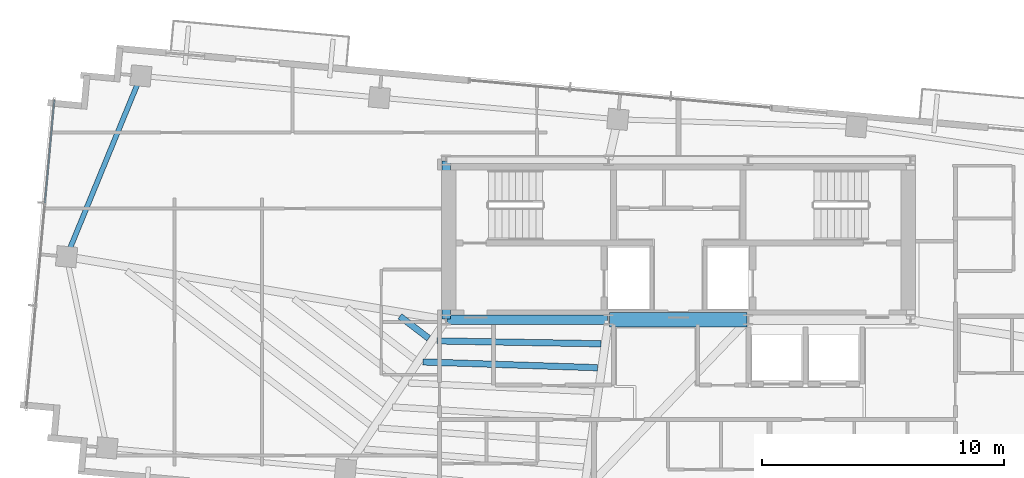
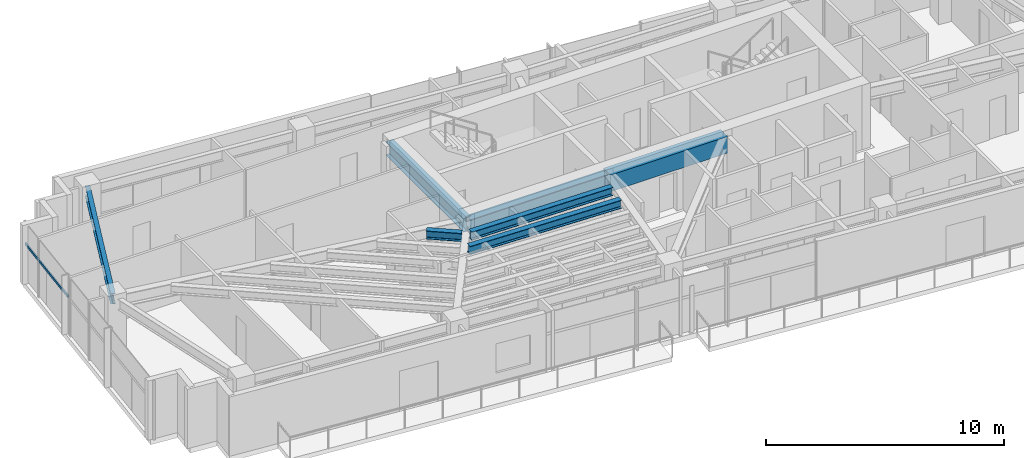
# One storey, part 8 of 22: 7 beams, 1 member, 1 element without a shape of its own.
"""IFC4 building model written with IfcOpenShell, lengths in metres."""

from ifc_helpers import new_model, si_unit, direction, frame, origin, origin_2d, place, context, subcontext, project, spatial, rectangle, hollow_rectangle, i_section, extrude, source, transform, mapped, material, material_profile, profile_set, type_object, type_shapes, element, aggregate, save


model = new_model("IFC4")

# Units and contexts
model_context = context("Model", 3, precision=1e-05, world=origin(), true_north=direction((0.0, 1.0)))
body_context = subcontext(model_context, "Body", "Model", "MODEL_VIEW")
ifc_project = project(units=[si_unit("LENGTHUNIT", "METRE"), si_unit("AREAUNIT", "SQUARE_METRE"), si_unit("VOLUMEUNIT", "CUBIC_METRE"), si_unit("PLANEANGLEUNIT", "RADIAN"), si_unit("MASSUNIT", "GRAM", prefix="KILO")], contexts=[model_context])

# Site, building, storey
site_placement = place(None, origin())
site = spatial("IfcSite", under=ifc_project, at=site_placement, CompositionType="ELEMENT")
building_placement = place(site_placement, origin())
building = spatial("IfcBuilding", under=site, at=building_placement, Name="Astriad Promenade Condominiums", CompositionType="ELEMENT")
storey_placement = place(building_placement, frame((0.0, 0.0, 236.39990234375)))
storey = spatial("IfcBuildingStorey", under=building, at=storey_placement, Name="L68", CompositionType="ELEMENT", Elevation=236.39990234375)

# Beams
ifc_material_1 = material(Name="Steel ASTM A992 Grade 50", Category="steel")
ifc_material_profile_1 = material_profile(ifc_material_1, i_section(OverallWidth=0.3837890625, OverallDepth=0.785888671875, WebThickness=0.019775390625, FlangeThickness=0.033447265625, FilletRadius=0.021484375, at=origin_2d()), Name="W30X211")
ifc_profile_set_1 = profile_set([ifc_material_profile_1], Name="Steel ASTM A992 Grade 50")
beam_type_1 = type_object("IfcBeamType", Name="STEEL FLOOR GIRDER W30X211", PredefinedType="BEAM", material=ifc_profile_set_1)
shared_shape_1 = source(origin(), body_context, "Body", "SweptSolid", [
    extrude(i_section(OverallWidth=0.3837890625, OverallDepth=0.785888671875, WebThickness=0.019775390625, FlangeThickness=0.033447265625, FilletRadius=0.021484375, at=origin_2d()), origin(), (0.0, 0.0, 1.0), 6.64013671875),
])
type_shapes(beam_type_1, [shared_shape_1])
beam_1_placement = place(storey_placement, frame((26.43994140625, 17.39990234375, 2.647216796875), z_axis=(1.0, 0.0, 0.0), x_axis=(0.0, 1.0, 0.0)))
element("IfcBeam", 1, at=beam_1_placement, inside=storey, type_object=beam_type_1, Name="Core Ring Beam CG-S1-L68", PredefinedType="BEAM", context=body_context, shape_type="MappedRepresentation", body=[
    mapped(shared_shape_1, transform((0.0, 0.0, 0.0), scale=1.0)),
])
ifc_material_profile_2 = material_profile(ifc_material_1, i_section(OverallWidth=0.35791015625, OverallDepth=0.706298828125, WebThickness=0.018310546875, FlangeThickness=0.0302734375, FilletRadius=0.020263671875, at=origin_2d()), Name="W27X178")
ifc_profile_set_2 = profile_set([ifc_material_profile_2], Name="Steel ASTM A992 Grade 50")
beam_type_2 = type_object("IfcBeamType", Name="STEEL FLOOR GIRDER W27X178", PredefinedType="BEAM", material=ifc_profile_set_2)
shared_shape_2 = source(origin(), body_context, "Body", "SweptSolid", [
    extrude(i_section(OverallWidth=0.35791015625, OverallDepth=0.706298828125, WebThickness=0.018310546875, FlangeThickness=0.0302734375, FilletRadius=0.020263671875, at=origin_2d()), origin(), (0.0, 0.0, 1.0), 6.52001953125),
])
type_shapes(beam_type_2, [shared_shape_2])
beam_2_placement = place(storey_placement, frame((26.39990234375, 17.43994140625, 2.68701171875), z_axis=(0.0, 1.0, 0.0), x_axis=(-1.0, 0.0, 0.0)))
element("IfcBeam", 2, at=beam_2_placement, inside=storey, type_object=beam_type_2, Name="Core Ring Beam CG-W1-L68", PredefinedType="BEAM", context=body_context, shape_type="MappedRepresentation", body=[
    mapped(shared_shape_2, transform((0.0, 0.0, 0.0), scale=1.0)),
])
ifc_material_2 = material(Name="Concrete C60/75", Category="concrete")
ifc_material_profile_3 = material_profile(ifc_material_2, rectangle(XDim=0.60009765625, YDim=0.85009765625, at=origin_2d()), Name="RC-BM-600X850")
ifc_profile_set_3 = profile_set([ifc_material_profile_3], Name="Concrete C60/75")
beam_type_3 = type_object("IfcBeamType", Name="CONCRETE CORE COUPLING LINTEL 600X850", PredefinedType="LINTEL", material=ifc_profile_set_3)
shared_shape_3 = source(origin(), body_context, "Body", "SweptSolid", [
    extrude(rectangle(XDim=0.60009765625, YDim=0.85009765625, at=origin_2d()), origin(), (0.0, 0.0, 1.0), 5.68017578125),
])
type_shapes(beam_type_3, [shared_shape_3])
beam_3_placement = place(storey_placement, frame((33.159912109375, 17.39990234375, 2.614990234375), z_axis=(1.0, 0.0, 0.0), x_axis=(0.0, 1.0, 0.0)))
element("IfcBeam", 3, at=beam_3_placement, inside=storey, type_object=beam_type_3, Name="Core Ring Beam CG-S2-L68", PredefinedType="LINTEL", context=body_context, shape_type="MappedRepresentation", body=[
    mapped(shared_shape_3, transform((0.0, 0.0, 0.0), scale=1.0)),
])
ifc_material_profile_4 = material_profile(ifc_material_1, i_section(OverallWidth=0.210693359375, OverallDepth=0.53955078125, WebThickness=0.01171875, FlangeThickness=0.018798828125, FilletRadius=0.0166015625, at=origin_2d()), Name="W21X73")
ifc_profile_set_4 = profile_set([ifc_material_profile_4], Name="Steel ASTM A992 Grade 50")
beam_type_4 = type_object("IfcBeamType", Name="STEEL SPANDREL BEAM W21X73", PredefinedType="SPANDREL", material=ifc_profile_set_4)
shared_shape_4 = source(origin(), body_context, "Body", "SweptSolid", [
    extrude(i_section(OverallWidth=0.210693359375, OverallDepth=0.53955078125, WebThickness=0.01171875, FlangeThickness=0.018798828125, FilletRadius=0.0166015625, at=origin_2d()), origin(), (0.0, 0.0, 1.0), 7.998779296875),
])
type_shapes(beam_type_4, [shared_shape_4])
beam_4_placement = place(storey_placement, frame((13.76611328125, 27.44580078125, 2.7705078125), z_axis=(-0.38000513148, -0.924984378273, 0.0), x_axis=(0.924984378273, -0.38000513148, 0.0)))
element("IfcBeam", 4, at=beam_4_placement, inside=storey, type_object=beam_type_4, Name="Perimeter Spandrel Beam SP-W2-L68", PredefinedType="SPANDREL", context=body_context, shape_type="MappedRepresentation", body=[
    mapped(shared_shape_4, transform((0.0, 0.0, 0.0), scale=1.0)),
])
ifc_material_profile_5 = material_profile(ifc_material_1, i_section(OverallWidth=0.26318359375, OverallDepth=0.425537109375, WebThickness=0.01318359375, FlangeThickness=0.022216796875, FilletRadius=0.013916015625, at=origin_2d()), Name="W16X89")
ifc_profile_set_5 = profile_set([ifc_material_profile_5], Name="Steel ASTM A992 Grade 50")
beam_type_5 = type_object("IfcBeamType", Name="STEEL FLOOR JOIST W16X89", PredefinedType="JOIST", material=ifc_profile_set_5)
shared_shape_5 = source(origin(), body_context, "Body", "SweptSolid", [
    extrude(i_section(OverallWidth=0.26318359375, OverallDepth=0.425537109375, WebThickness=0.01318359375, FlangeThickness=0.022216796875, FilletRadius=0.013916015625, at=origin_2d()), origin(), (0.0, 0.0, 1.0), 1.497314453125),
])
beam_5_placement = place(storey_placement, frame((24.489501953125, 17.547119140625, 2.827392578125), z_axis=(0.79482500583, -0.606838701887, 0.0), x_axis=(0.606838701887, 0.79482500583, 0.0)))
element("IfcBeam", 5, at=beam_5_placement, inside=storey, type_object=beam_type_5, Name="Secondary Composite Floor Joist JW1-6-L68", PredefinedType="JOIST", context=body_context, shape_type="MappedRepresentation", body=[
    mapped(shared_shape_5, transform((0.0, 0.0, 0.0), scale=1.0)),
])
shared_shape_6 = source(origin(), body_context, "Body", "SweptSolid", [
    extrude(i_section(OverallWidth=0.26318359375, OverallDepth=0.425537109375, WebThickness=0.01318359375, FlangeThickness=0.022216796875, FilletRadius=0.013916015625, at=origin_2d()), origin(), (0.0, 0.0, 1.0), 7.226318359375),
])
beam_6_placement = place(storey_placement, frame((25.43798828125, 15.659912109375, 2.827392578125), z_axis=(0.999453981353, -0.033041476313, 0.0), x_axis=(0.033041476313, 0.999453981353, 0.0)))
element("IfcBeam", 6, at=beam_6_placement, inside=storey, type_object=beam_type_5, Name="Secondary Composite Floor Joist JCW-5-L68", PredefinedType="JOIST", context=body_context, shape_type="MappedRepresentation", body=[
    mapped(shared_shape_6, transform((0.0, 0.0, 0.0), scale=1.0)),
])
shared_shape_7 = source(origin(), body_context, "Body", "SweptSolid", [
    extrude(i_section(OverallWidth=0.26318359375, OverallDepth=0.425537109375, WebThickness=0.01318359375, FlangeThickness=0.022216796875, FilletRadius=0.013916015625, at=origin_2d()), origin(), (0.0, 0.0, 1.0), 6.781494140625),
])
type_shapes(beam_type_5, [shared_shape_5, shared_shape_6, shared_shape_7])
beam_7_placement = place(storey_placement, frame((26.022216796875, 16.52978515625, 2.827392578125), z_axis=(0.999845665325, -0.017568310398, 0.0), x_axis=(0.017568310398, 0.999845665325, 0.0)))
element("IfcBeam", 7, at=beam_7_placement, inside=storey, type_object=beam_type_5, Name="Secondary Composite Floor Joist JCW-6-L68", PredefinedType="JOIST", context=body_context, shape_type="MappedRepresentation", body=[
    mapped(shared_shape_7, transform((0.0, 0.0, 0.0), scale=1.0)),
])

# Curtain wall, member
ifc_material_3 = material(Name="Anodised aluminium Black Dark Glass Unitised", Category="aluminium")
curtain_wall_type = type_object("IfcCurtainWallType", Name="CW-B5-DARK", PredefinedType="USERDEFINED", material=ifc_material_3)
curtain_wall_placement = place(storey_placement, origin())
curtain_wall = element("IfcCurtainWall", 8, at=curtain_wall_placement, inside=storey, type_object=curtain_wall_type, Name="CW-L68-W", ObjectType="UNITISED_CURTAIN_WALL", PredefinedType="USERDEFINED")
ifc_material_4 = material(Name="Anodised aluminium 6063-T6 Black", Category="aluminium")
ifc_material_profile_6 = material_profile(ifc_material_4, hollow_rectangle(XDim=0.06494140625, YDim=0.1298828125, WallThickness=0.00390625, at=origin_2d()), Name="ALU-TRN-65X130")
ifc_profile_set_6 = profile_set([ifc_material_profile_6], Name="Anodised aluminium 6063-T6 Black")
member_type = type_object("IfcMemberType", Name="TRN-ALU-TRN-65X130", PredefinedType="USERDEFINED", material=ifc_profile_set_6)
shared_shape_8 = source(origin(), body_context, "Body", "SweptSolid", [
    extrude(hollow_rectangle(XDim=0.06494140625, YDim=0.1298828125, WallThickness=0.00390625, at=origin_2d()), origin(), (0.0, 0.0, 1.0), 4.2666015625),
])
type_shapes(member_type, [shared_shape_8])
member_placement = place(storey_placement, frame((9.819091796875, 22.233642578125, 1.885009765625), z_axis=(0.090638931954, 0.99588382054, 0.0), x_axis=(-0.99588382054, 0.090638931954, 0.0)))
member = element("IfcMember", 9, at=member_placement, type_object=member_type, Name="CW-L68-W-TRN-02-0", ObjectType="TRANSOM", PredefinedType="USERDEFINED", context=body_context, shape_type="MappedRepresentation", body=[
    mapped(shared_shape_8, transform((0.0, 0.0, 0.0), scale=1.0)),
])
aggregate(curtain_wall, [member])

save(model, "model.ifc")
